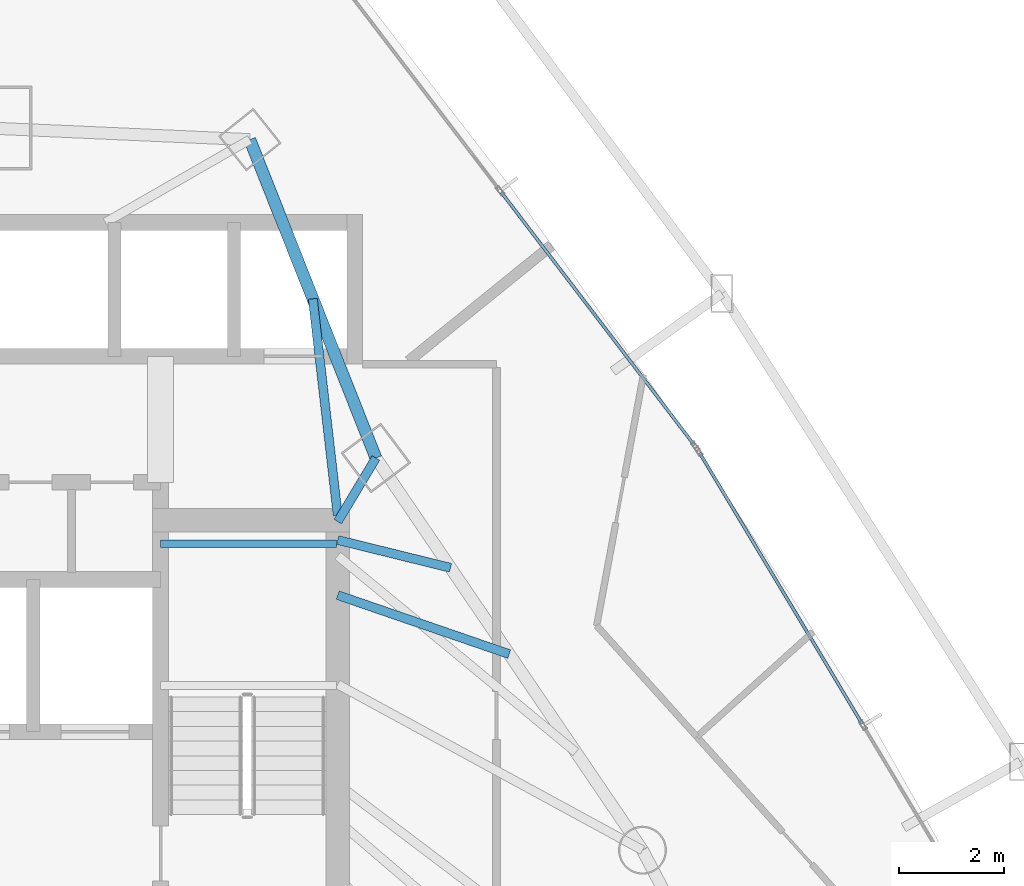
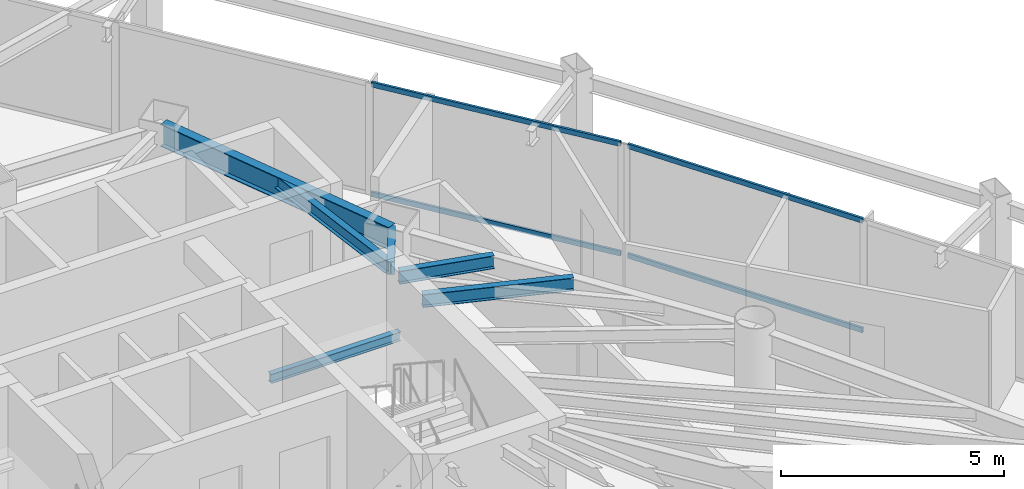
# One storey, part 25 of 34: 6 beams, 4 members, 2 elements without a shape of their own.
"""IFC4 building model written with IfcOpenShell, lengths in metres."""

from ifc_helpers import new_model, si_unit, direction, frame, origin, origin_2d, place, context, subcontext, project, spatial, hollow_rectangle, i_section, extrude, material, layer, layer_set, material_profile, profile_set, type_object, element, aggregate, save


model = new_model("IFC4")

# Units and contexts
model_context = context("Model", 3, precision=1e-05, world=origin(), true_north=direction((0.0, 1.0)))
body_context = subcontext(model_context, "Body", "Model", "MODEL_VIEW")
ifc_project = project(units=[si_unit("LENGTHUNIT", "METRE"), si_unit("AREAUNIT", "SQUARE_METRE"), si_unit("VOLUMEUNIT", "CUBIC_METRE"), si_unit("PLANEANGLEUNIT", "RADIAN"), si_unit("MASSUNIT", "GRAM", prefix="KILO")], contexts=[model_context])

# Site, building, storey
site_placement = place(None, origin())
site = spatial("IfcSite", under=ifc_project, at=site_placement, CompositionType="ELEMENT")
building_placement = place(site_placement, origin())
building = spatial("IfcBuilding", under=site, at=building_placement, Name="Orvanel Arch Residences", CompositionType="ELEMENT")
storey_placement = place(building_placement, frame((0.0, 0.0, 74.14990234375)))
storey = spatial("IfcBuildingStorey", under=building, at=storey_placement, Name="L20", CompositionType="ELEMENT", Elevation=74.14990234375)

# Beams
ifc_material_1 = material(Name="Structural steel AS/NZS 3679.1 Grade 300 (300 MPa)", Category="steel")
ifc_material_profile_1 = material_profile(ifc_material_1, i_section(OverallWidth=0.14599609375, OverallDepth=0.251953125, WebThickness=0.006103515625, FlangeThickness=0.008544921875, at=origin_2d()), Name="250UB31.4")
ifc_profile_set_1 = profile_set([ifc_material_profile_1], Name="Structural steel AS/NZS 3679.1 Grade 300 (300 MPa)")
beam_type_1 = type_object("IfcBeamType", Name="BJ-250UB", PredefinedType="JOIST", material=ifc_profile_set_1)
beam_1_placement = place(storey_placement, frame((36.25, 33.47998046875, 1.32421875), z_axis=(1.0, 0.0, 0.0), x_axis=(0.0, 1.0, 0.0)))
element("IfcBeam", 1, at=beam_1_placement, inside=storey, type_object=beam_type_1, Name="L20 ST-2 Half-Landing Support Beam 1.2", PredefinedType="JOIST", context=body_context, shape_type="SweptSolid", body=[
    extrude(i_section(OverallWidth=0.14599609375, OverallDepth=0.251953125, WebThickness=0.006103515625, FlangeThickness=0.008544921875, at=origin_2d()), origin(), (0.0, 0.0, 1.0), 3.35009765625),
])
ifc_material_profile_2 = material_profile(ifc_material_1, i_section(OverallWidth=0.1708984375, OverallDepth=0.35595703125, WebThickness=0.00732421875, FlangeThickness=0.011474609375, at=origin_2d()), Name="360UB50.7")
ifc_profile_set_2 = profile_set([ifc_material_profile_2], Name="Structural steel AS/NZS 3679.1 Grade 300 (300 MPa)")
beam_type_2 = type_object("IfcBeamType", Name="BJ-360UB", PredefinedType="JOIST", material=ifc_profile_set_2)
beam_2_placement = place(storey_placement, frame((39.625, 33.89990234375, 2.882080078125), z_axis=(0.514064138778, 0.857751748015, 0.0), x_axis=(-0.857751748015, 0.514064138778, 0.0)))
element("IfcBeam", 2, at=beam_2_placement, inside=storey, type_object=beam_type_2, Name="L20 NNE Wing Floor Joist", PredefinedType="JOIST", context=body_context, shape_type="SweptSolid", body=[
    extrude(i_section(OverallWidth=0.1708984375, OverallDepth=0.35595703125, WebThickness=0.00732421875, FlangeThickness=0.011474609375, at=origin_2d()), origin(), (0.0, 0.0, 1.0), 1.414306640625),
])
beam_3_placement = place(storey_placement, frame((39.625, 34.02001953125, 2.882080078125), z_axis=(-0.114186670431, 0.993459311847, 0.0), x_axis=(-0.993459311847, -0.114186670431, 0.0)))
element("IfcBeam", 3, at=beam_3_placement, inside=storey, type_object=beam_type_2, Name="L20 NNE2 Wing Floor Joist", PredefinedType="JOIST", context=body_context, shape_type="SweptSolid", body=[
    extrude(i_section(OverallWidth=0.1708984375, OverallDepth=0.35595703125, WebThickness=0.00732421875, FlangeThickness=0.011474609375, at=origin_2d()), origin(), (0.0, 0.0, 1.0), 4.152099609375),
])
beam_4_placement = place(storey_placement, frame((39.625, 32.5, 2.882080078125), z_axis=(0.945658073701, -0.325162740247, 0.0), x_axis=(0.325162740247, 0.945658073701, 0.0)))
element("IfcBeam", 4, at=beam_4_placement, inside=storey, type_object=beam_type_2, Name="L20 ENE Wing Floor Joist", PredefinedType="JOIST", context=body_context, shape_type="SweptSolid", body=[
    extrude(i_section(OverallWidth=0.1708984375, OverallDepth=0.35595703125, WebThickness=0.00732421875, FlangeThickness=0.011474609375, at=origin_2d()), origin(), (0.0, 0.0, 1.0), 3.453857421875),
])
beam_5_placement = place(storey_placement, frame((39.625, 33.550048828125, 2.882080078125), z_axis=(0.971005818547, -0.239055851942, 0.0), x_axis=(0.239055851942, 0.971005818547, 0.0)))
element("IfcBeam", 5, at=beam_5_placement, inside=storey, type_object=beam_type_2, Name="L20 JADD4 Wing Floor Joist", PredefinedType="JOIST", context=body_context, shape_type="SweptSolid", body=[
    extrude(i_section(OverallWidth=0.1708984375, OverallDepth=0.35595703125, WebThickness=0.00732421875, FlangeThickness=0.011474609375, at=origin_2d()), origin(), (0.0, 0.0, 1.0), 2.213134765625),
])
ifc_material_profile_3 = material_profile(ifc_material_1, i_section(OverallWidth=0.22900390625, OverallDepth=0.612060546875, WebThickness=0.011962890625, FlangeThickness=0.01953125, at=origin_2d()), Name="610UB125")
ifc_profile_set_3 = profile_set([ifc_material_profile_3], Name="Structural steel AS/NZS 3679.1 Grade 300 (300 MPa)")
beam_type_3 = type_object("IfcBeamType", Name="SP-610UB", PredefinedType="SPANDREL", material=ifc_profile_set_3)
beam_6_placement = place(storey_placement, frame((40.35205078125, 35.113037109375, 2.754150390625), z_axis=(-0.368233143579, 0.929733484376, 0.0), x_axis=(-0.929733484376, -0.368233143579, 0.0)))
element("IfcBeam", 6, at=beam_6_placement, inside=storey, type_object=beam_type_3, Name="L20 Perimeter Spandrel Beam 15", PredefinedType="SPANDREL", context=body_context, shape_type="SweptSolid", body=[
    extrude(i_section(OverallWidth=0.22900390625, OverallDepth=0.612060546875, WebThickness=0.011962890625, FlangeThickness=0.01953125, at=origin_2d()), origin(), (0.0, 0.0, 1.0), 6.523193359375),
])

# Curtain wall, members
ifc_material_2 = material(Name="Bronze-anodised aluminium AA6063-T6", Category="aluminium")
ifc_layer = layer(ifc_material_2, 0.179931640625)
ifc_layer_set = layer_set([ifc_layer], Name="Bronze-anodised aluminium AA6063-T6")
curtain_wall_type = type_object("IfcCurtainWallType", Name="CW2-LOW-SYS", PredefinedType="NOTDEFINED", material=ifc_layer_set)
curtain_wall_1_placement = place(storey_placement, origin())
curtain_wall_1 = element("IfcCurtainWall", 7, at=curtain_wall_1_placement, inside=storey, type_object=curtain_wall_type, Name="L20 CW2-LOW-SYS Unitised Curtain Wall", PredefinedType="NOTDEFINED")
ifc_material_profile_4 = material_profile(ifc_material_2, hollow_rectangle(XDim=0.06005859375, YDim=0.135009765625, WallThickness=0.00390625, at=origin_2d()), Name="ALU135x60x4")
ifc_profile_set_4 = profile_set([ifc_material_profile_4], Name="Bronze-anodised aluminium AA6063-T6")
member_type = type_object("IfcMemberType", Name="TRN-135x60", PredefinedType="USERDEFINED", material=ifc_profile_set_4)
member_1_placement = place(storey_placement, frame((49.614013671875, 30.051025390625, 0.030029296875), z_axis=(-0.514400245764, 0.857550224277, 0.0), x_axis=(-0.857550224277, -0.514400245764, 0.0)))
member_1 = element("IfcMember", 8, at=member_1_placement, type_object=member_type, Name="CW-S2 transom 2.1", ObjectType="TRANSOM", PredefinedType="USERDEFINED", context=body_context, shape_type="SweptSolid", body=[
    extrude(hollow_rectangle(XDim=0.06005859375, YDim=0.135009765625, WallThickness=0.00390625, at=origin_2d()), origin(), (0.0, 0.0, 1.0), 6.0146484375),
])
member_2_placement = place(storey_placement, frame((49.614013671875, 30.051025390625, 3.030029296875), z_axis=(-0.514400245764, 0.857550224277, 0.0), x_axis=(-0.857550224277, -0.514400245764, 0.0)))
member_2 = element("IfcMember", 9, at=member_2_placement, type_object=member_type, Name="CW-S2 transom 2.2", ObjectType="TRANSOM", PredefinedType="USERDEFINED", context=body_context, shape_type="SweptSolid", body=[
    extrude(hollow_rectangle(XDim=0.06005859375, YDim=0.135009765625, WallThickness=0.00390625, at=origin_2d()), origin(), (0.0, 0.0, 1.0), 6.0146484375),
])
aggregate(curtain_wall_1, [member_1, member_2])

curtain_wall_2_placement = place(storey_placement, origin())
curtain_wall_2 = element("IfcCurtainWall", 10, at=curtain_wall_2_placement, inside=storey, type_object=curtain_wall_type, Name="L20 CW2-LOW-SYS Unitised Curtain Wall", PredefinedType="NOTDEFINED")
member_3_placement = place(storey_placement, frame((46.41943359375, 35.357666015625, 0.030029296875), z_axis=(-0.606952007069, 0.794738485991, 0.0), x_axis=(-0.794738485991, -0.606952007069, 0.0)))
member_3 = element("IfcMember", 11, at=member_3_placement, type_object=member_type, Name="CW-S2 transom 1.1", ObjectType="TRANSOM", PredefinedType="USERDEFINED", context=body_context, shape_type="SweptSolid", body=[
    extrude(hollow_rectangle(XDim=0.06005859375, YDim=0.135009765625, WallThickness=0.00390625, at=origin_2d()), origin(), (0.0, 0.0, 1.0), 6.059814453125),
])
member_4_placement = place(storey_placement, frame((46.41943359375, 35.357666015625, 3.030029296875), z_axis=(-0.606952007069, 0.794738485991, 0.0), x_axis=(-0.794738485991, -0.606952007069, 0.0)))
member_4 = element("IfcMember", 12, at=member_4_placement, type_object=member_type, Name="CW-S2 transom 1.2", ObjectType="TRANSOM", PredefinedType="USERDEFINED", context=body_context, shape_type="SweptSolid", body=[
    extrude(hollow_rectangle(XDim=0.06005859375, YDim=0.135009765625, WallThickness=0.00390625, at=origin_2d()), origin(), (0.0, 0.0, 1.0), 6.059814453125),
])
aggregate(curtain_wall_2, [member_3, member_4])

save(model, "model.ifc")
